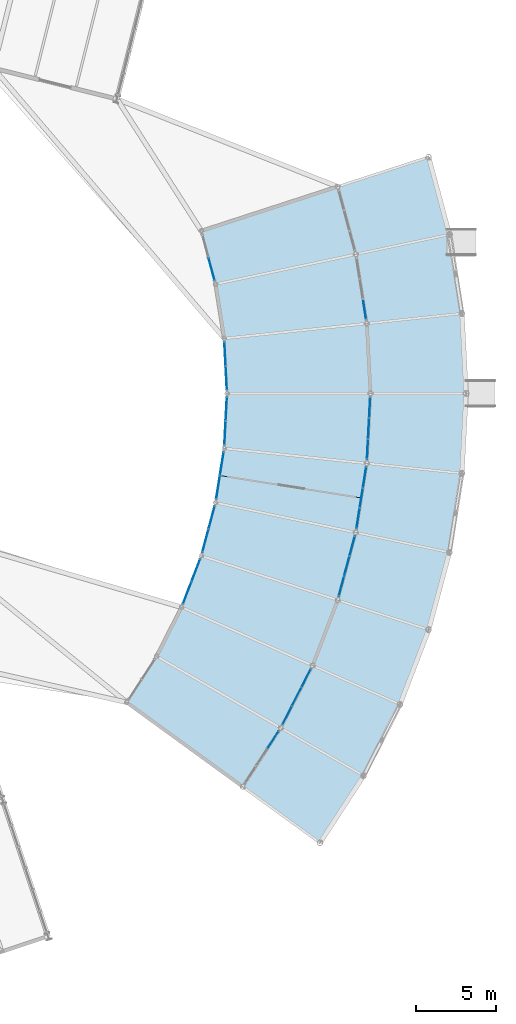
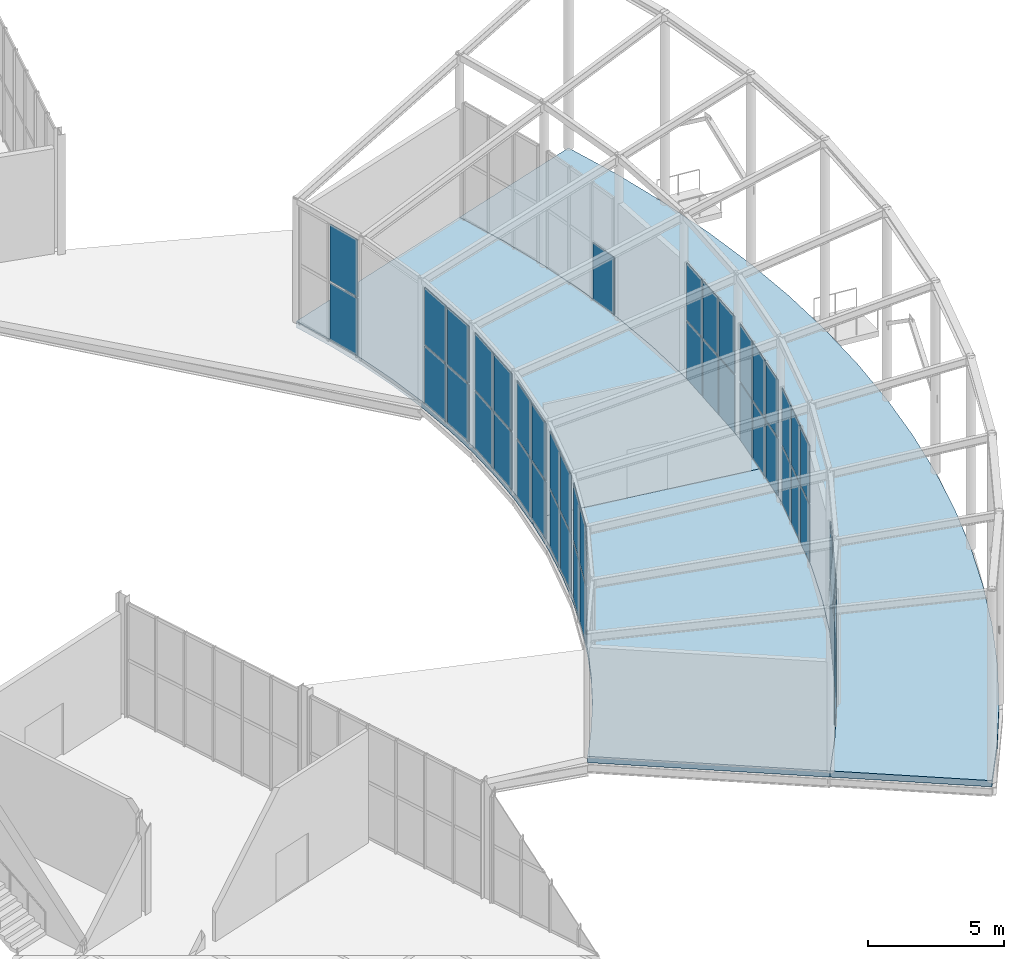
# One storey, part 114 of 158: 49 plates, 3 slabs, 12 elements without a shape of their own.
"""IFC4 building model written with IfcOpenShell, lengths in metres."""

from ifc_helpers import new_model, si_unit, derived_unit, direction, frame, origin, origin_2d, place, context, subcontext, project, spatial, polyline, rectangle, outline, extrude, material, layer, layer_set, type_object, element, aggregate, save


model = new_model("IFC4")

# Units and contexts
model_context = context("Model", 3, precision=1e-05, world=origin(), true_north=direction((0.0, 1.0)))
body_context = subcontext(model_context, "Body", "Model", "MODEL_VIEW")
ifc_project = project(units=[si_unit("LENGTHUNIT", "METRE"), si_unit("AREAUNIT", "SQUARE_METRE"), si_unit("VOLUMEUNIT", "CUBIC_METRE"), si_unit("PLANEANGLEUNIT", "RADIAN"), si_unit("MASSUNIT", "GRAM", prefix="KILO"), si_unit("THERMODYNAMICTEMPERATUREUNIT", "KELVIN"), si_unit("TIMEUNIT", "SECOND"), derived_unit("THERMALTRANSMITTANCEUNIT", [(si_unit("MASSUNIT", "GRAM", prefix="KILO"), 1), (si_unit("THERMODYNAMICTEMPERATUREUNIT", "KELVIN"), -1), (si_unit("TIMEUNIT", "SECOND"), -3)])], contexts=[model_context])

# Site, building, storey
site_placement = place(None, origin())
site = spatial("IfcSite", under=ifc_project, at=site_placement, CompositionType="ELEMENT")
building_placement = place(site_placement, origin())
building = spatial("IfcBuilding", under=site, at=building_placement, Name="Cambertide Market Hall", CompositionType="ELEMENT")
storey_placement = place(building_placement, origin())
storey = spatial("IfcBuildingStorey", under=building, at=storey_placement, Name="L01", CompositionType="ELEMENT", Elevation=0.0)

# Slabs
ifc_material_1 = material(Name="Concrete B35", Category="concrete")
ifc_layer_1 = layer(ifc_material_1, 0.284912109375, Name="Crescent Gallery Plinth Slab 285")
ifc_layer_set_1 = layer_set([ifc_layer_1], Name="Concrete B35")
slab_type_1 = type_object("IfcSlabType", Name="Crescent Gallery Plinth Slab 285", PredefinedType="FLOOR", material=ifc_layer_set_1)
slab_1_placement = place(storey_placement, frame((0.0, 0.0, -0.284912109375)))
element("IfcSlab", 1, at=slab_1_placement, inside=storey, type_object=slab_type_1, Name="Level 1 Slab SLB-L01-V5-IN1", PredefinedType="FLOOR", context=body_context, shape_type="SweptSolid", body=[
    extrude(outline(polyline([(177.978759765625, 41.31298828125), (179.22412109375, 43.125244140625), (180.373046875, 45.0), (181.42236328125, 46.932373046875), (182.368896484375, 48.9169921875), (183.21044921875, 50.948486328125), (183.9443359375, 53.021240234375), (184.56884765625, 55.129638671875), (185.082275390625, 57.267822265625), (185.48291015625, 59.4296875), (176.59375, 60.837646484375), (176.27880859375, 59.138916015625), (175.87548828125, 57.458984375), (175.384765625, 55.802490234375), (174.80810546875, 54.173828125), (174.14697265625, 52.57763671875), (173.4033203125, 51.018310546875), (172.578857421875, 49.5), (171.676025390625, 48.02685546875), (170.697509765625, 46.60302734375), (177.978759765625, 41.31298828125)])), origin(), (0.0, 0.0, 1.0), 0.284912109375),
])
slab_2_placement = place(storey_placement, frame((0.0, 0.0, -0.284912109375)))
element("IfcSlab", 2, at=slab_2_placement, inside=storey, type_object=slab_type_1, Name="Level 1 Slab SLB-L01-V5-IN2", PredefinedType="FLOOR", context=body_context, shape_type="SweptSolid", body=[
    extrude(outline(polyline([(185.48291015625, 59.4296875), (185.77001953125, 61.60986328125), (185.9423828125, 63.802001953125), (186.0, 66.0), (185.9423828125, 68.197998046875), (185.77001953125, 70.39013671875), (185.48291015625, 72.5703125), (185.082275390625, 74.732177734375), (184.56884765625, 76.870361328125), (183.9443359375, 78.978759765625), (175.384765625, 76.197509765625), (175.87548828125, 74.541015625), (176.27880859375, 72.861083984375), (176.59375, 71.162353515625), (176.8193359375, 69.449462890625), (176.954833984375, 67.72705078125), (177.0, 66.0), (176.954833984375, 64.27294921875), (176.8193359375, 62.550537109375), (176.59375, 60.837646484375), (185.48291015625, 59.4296875)])), origin(), (0.0, 0.0, 1.0), 0.284912109375),
])
ifc_material_2 = material(Name="Concrete B35", Category="concrete")
ifc_layer_2 = layer(ifc_material_2, 0.280029296875, Name="Exterior Entry Apron & Colonnade Slab 280")
ifc_layer_set_2 = layer_set([ifc_layer_2], Name="Concrete B35")
slab_type_2 = type_object("IfcSlabType", Name="Exterior Entry Apron & Colonnade Slab 280", PredefinedType="FLOOR", material=ifc_layer_set_2)
slab_3_placement = place(storey_placement, frame((0.0, 0.0, -0.280029296875)))
element("IfcSlab", 3, at=slab_3_placement, inside=storey, type_object=slab_type_2, Name="Level 1 Slab SLB-L01-V5-COL", PredefinedType="FLOOR", context=body_context, shape_type="SweptSolid", body=[
    extrude(outline(polyline([(182.832763671875, 37.786376953125), (184.256103515625, 39.857421875), (185.5693359375, 42.0), (186.768310546875, 44.20849609375), (187.85009765625, 46.4765625), (188.811767578125, 48.79833984375), (189.650634765625, 51.167236328125), (190.364501953125, 53.57666015625), (190.951171875, 56.020263671875), (191.408935546875, 58.4912109375), (191.737060546875, 60.982666015625), (191.934326171875, 63.48779296875), (192.0, 66.0), (191.934326171875, 68.51220703125), (191.737060546875, 71.017333984375), (191.408935546875, 73.5087890625), (190.951171875, 75.979736328125), (190.364501953125, 78.42333984375), (189.650634765625, 80.832763671875), (183.9443359375, 78.978759765625), (184.56884765625, 76.870361328125), (185.082275390625, 74.732177734375), (185.48291015625, 72.5703125), (185.77001953125, 70.39013671875), (185.9423828125, 68.197998046875), (186.0, 66.0), (185.9423828125, 63.802001953125), (185.77001953125, 61.60986328125), (185.48291015625, 59.4296875), (185.082275390625, 57.267822265625), (184.56884765625, 55.129638671875), (183.9443359375, 53.021240234375), (183.21044921875, 50.948486328125), (182.368896484375, 48.9169921875), (181.42236328125, 46.932373046875), (180.373046875, 45.0), (179.22412109375, 43.125244140625), (177.978759765625, 41.31298828125), (182.832763671875, 37.786376953125)])), origin(), (0.0, 0.0, 1.0), 0.280029296875),
])

# Curtain wall, plates
ifc_material_3 = material(Name="Marine Anodized Aluminium 6063-T6 AA25", Category="aluminium")
curtain_wall_type_1 = type_object("IfcCurtainWallType", Name="Promenade Crescent Outer Glazed Wall", PredefinedType="USERDEFINED", material=ifc_material_3)
curtain_wall_1_placement = place(storey_placement, origin())
curtain_wall_1 = element("IfcCurtainWall", 4, at=curtain_wall_1_placement, inside=storey, type_object=curtain_wall_type_1, Name="Level 1 Curtain Wall CW-V5M-L01-1", ObjectType="UNITIZED CURTAIN WALL", PredefinedType="USERDEFINED")
ifc_material_4 = material(Name="Low-E Laminated Insulated Glass", Category="glass")
ifc_layer_3 = layer(ifc_material_4, 0.028076171875, Name="Vision Insulated Glazing Panel 28")
ifc_layer_set_3 = layer_set([ifc_layer_3], Name="Low-E Laminated Insulated Glass")
plate_type = type_object("IfcPlateType", Name="Vision Insulated Glazing Panel 28", PredefinedType="CURTAIN_PANEL", material=ifc_layer_set_3)
plate_1_placement = place(storey_placement, frame((179.89404296875, 44.262451171875, 0.0400390625), z_axis=(0.0, 0.0, 1.0), x_axis=(-0.544638961842, -0.838670615465, 0.0)))
plate_1 = element("IfcPlate", 5, at=plate_1_placement, type_object=plate_type, Name="CW-V5M-L01-1 Glazing Panel 1-1", PredefinedType="CURTAIN_PANEL", context=body_context, shape_type="SweptSolid", body=[
    extrude(rectangle(XDim=1.23876953125, YDim=0.028076171875, at=origin_2d()), origin(), (0.0, 0.0, 1.0), 2.570068359375),
])
plate_2_placement = place(storey_placement, frame((179.89404296875, 44.262451171875, 2.68994140625), z_axis=(0.0, 0.0, 1.0), x_axis=(-0.544638961842, -0.838670615465, 0.0)))
plate_2 = element("IfcPlate", 6, at=plate_2_placement, type_object=plate_type, Name="CW-V5M-L01-1 Glazing Panel 2-1", PredefinedType="CURTAIN_PANEL", context=body_context, shape_type="SweptSolid", body=[
    extrude(rectangle(XDim=1.23876953125, YDim=0.028076171875, at=origin_2d()), origin(), (0.0, 0.0, 1.0), 2.570068359375),
])
aggregate(curtain_wall_1, [plate_1, plate_2])

curtain_wall_2_placement = place(storey_placement, origin())
curtain_wall_2 = element("IfcCurtainWall", 7, at=curtain_wall_2_placement, inside=storey, type_object=curtain_wall_type_1, Name="Level 1 Curtain Wall CW-V5M-L01-2", ObjectType="UNITIZED CURTAIN WALL", PredefinedType="USERDEFINED")
plate_3_placement = place(storey_placement, frame((181.9697265625, 48.133544921875, 0.0400390625), z_axis=(0.0, 0.0, 1.0), x_axis=(-0.453990451578, -0.891006548728, 0.0)))
plate_3 = element("IfcPlate", 8, at=plate_3_placement, type_object=plate_type, Name="CW-V5M-L01-2 Glazing Panel 1-1", PredefinedType="CURTAIN_PANEL", context=body_context, shape_type="SweptSolid", body=[
    extrude(rectangle(XDim=1.23876953125, YDim=0.028076171875, at=origin_2d()), origin(), (0.0, 0.0, 1.0), 2.570068359375),
])
plate_4_placement = place(storey_placement, frame((181.37109375, 46.95849609375, 0.0400390625), z_axis=(0.0, 0.0, 1.0), x_axis=(-0.453990451578, -0.891006548728, 0.0)))
plate_4 = element("IfcPlate", 9, at=plate_4_placement, type_object=plate_type, Name="CW-V5M-L01-2 Glazing Panel 1-2", PredefinedType="CURTAIN_PANEL", context=body_context, shape_type="SweptSolid", body=[
    extrude(rectangle(XDim=1.23876953125, YDim=0.028076171875, at=origin_2d()), origin(), (0.0, 0.0, 1.0), 2.570068359375),
])
plate_5_placement = place(storey_placement, frame((180.772216796875, 45.783447265625, 0.0400390625), z_axis=(0.0, 0.0, 1.0), x_axis=(-0.453990451578, -0.891006548728, 0.0)))
plate_5 = element("IfcPlate", 10, at=plate_5_placement, type_object=plate_type, Name="CW-V5M-L01-2 Glazing Panel 1-3", PredefinedType="CURTAIN_PANEL", context=body_context, shape_type="SweptSolid", body=[
    extrude(rectangle(XDim=1.23876953125, YDim=0.028076171875, at=origin_2d()), origin(), (0.0, 0.0, 1.0), 2.570068359375),
])
plate_6_placement = place(storey_placement, frame((181.9697265625, 48.133544921875, 2.68994140625), z_axis=(0.0, 0.0, 1.0), x_axis=(-0.453990451578, -0.891006548728, 0.0)))
plate_6 = element("IfcPlate", 11, at=plate_6_placement, type_object=plate_type, Name="CW-V5M-L01-2 Glazing Panel 2-1", PredefinedType="CURTAIN_PANEL", context=body_context, shape_type="SweptSolid", body=[
    extrude(rectangle(XDim=1.23876953125, YDim=0.028076171875, at=origin_2d()), origin(), (0.0, 0.0, 1.0), 2.570068359375),
])
plate_7_placement = place(storey_placement, frame((181.37109375, 46.95849609375, 2.68994140625), z_axis=(0.0, 0.0, 1.0), x_axis=(-0.453990451578, -0.891006548728, 0.0)))
plate_7 = element("IfcPlate", 12, at=plate_7_placement, type_object=plate_type, Name="CW-V5M-L01-2 Glazing Panel 2-2", PredefinedType="CURTAIN_PANEL", context=body_context, shape_type="SweptSolid", body=[
    extrude(rectangle(XDim=1.23876953125, YDim=0.028076171875, at=origin_2d()), origin(), (0.0, 0.0, 1.0), 2.570068359375),
])
plate_8_placement = place(storey_placement, frame((180.772216796875, 45.783447265625, 2.68994140625), z_axis=(0.0, 0.0, 1.0), x_axis=(-0.453990451578, -0.891006548728, 0.0)))
plate_8 = element("IfcPlate", 13, at=plate_8_placement, type_object=plate_type, Name="CW-V5M-L01-2 Glazing Panel 2-3", PredefinedType="CURTAIN_PANEL", context=body_context, shape_type="SweptSolid", body=[
    extrude(rectangle(XDim=1.23876953125, YDim=0.028076171875, at=origin_2d()), origin(), (0.0, 0.0, 1.0), 2.570068359375),
])
aggregate(curtain_wall_2, [plate_3, plate_4, plate_5, plate_6, plate_7, plate_8])

ifc_material_5 = material(Name="Marine Anodized Aluminium 6063-T6 AA25", Category="aluminium")
curtain_wall_type_2 = type_object("IfcCurtainWallType", Name="Promenade Crescent Inner Glazed Wall", PredefinedType="USERDEFINED", material=ifc_material_5)
curtain_wall_3_placement = place(storey_placement, origin())
curtain_wall_3 = element("IfcCurtainWall", 14, at=curtain_wall_3_placement, inside=storey, type_object=curtain_wall_type_2, Name="Level 1 Curtain Wall CW-V5I-L01-3", ObjectType="UNITIZED CURTAIN WALL", PredefinedType="USERDEFINED")
plate_9_placement = place(storey_placement, frame((174.4921875, 53.477294921875, 0.0400390625), z_axis=(0.0, 0.0, 1.0), x_axis=(0.358368005238, 0.933580405119, 0.0)))
plate_9 = element("IfcPlate", 15, at=plate_9_placement, type_object=plate_type, Name="CW-V5I-L01-3 Glazing Panel 1-1", PredefinedType="CURTAIN_PANEL", context=body_context, shape_type="SweptSolid", body=[
    extrude(rectangle(XDim=1.447021484375, YDim=0.028076171875, at=origin_2d()), origin(), (0.0, 0.0, 1.0), 2.570068359375),
])
plate_10_placement = place(storey_placement, frame((175.03955078125, 54.90283203125, 0.0400390625), z_axis=(0.0, 0.0, 1.0), x_axis=(0.358368005238, 0.933580405119, 0.0)))
plate_10 = element("IfcPlate", 16, at=plate_10_placement, type_object=plate_type, Name="CW-V5I-L01-3 Glazing Panel 1-2", PredefinedType="CURTAIN_PANEL", context=body_context, shape_type="SweptSolid", body=[
    extrude(rectangle(XDim=1.447021484375, YDim=0.028076171875, at=origin_2d()), origin(), (0.0, 0.0, 1.0), 2.570068359375),
])
plate_11_placement = place(storey_placement, frame((174.4921875, 53.477294921875, 2.68994140625), z_axis=(0.0, 0.0, 1.0), x_axis=(0.358368005238, 0.933580405119, 0.0)))
plate_11 = element("IfcPlate", 17, at=plate_11_placement, type_object=plate_type, Name="CW-V5I-L01-3 Glazing Panel 2-1", PredefinedType="CURTAIN_PANEL", context=body_context, shape_type="SweptSolid", body=[
    extrude(rectangle(XDim=1.447021484375, YDim=0.028076171875, at=origin_2d()), origin(), (0.0, 0.0, 1.0), 2.570068359375),
])
plate_12_placement = place(storey_placement, frame((175.03955078125, 54.90283203125, 2.68994140625), z_axis=(0.0, 0.0, 1.0), x_axis=(0.358368005238, 0.933580405119, 0.0)))
plate_12 = element("IfcPlate", 18, at=plate_12_placement, type_object=plate_type, Name="CW-V5I-L01-3 Glazing Panel 2-2", PredefinedType="CURTAIN_PANEL", context=body_context, shape_type="SweptSolid", body=[
    extrude(rectangle(XDim=1.447021484375, YDim=0.028076171875, at=origin_2d()), origin(), (0.0, 0.0, 1.0), 2.570068359375),
])
aggregate(curtain_wall_3, [plate_9, plate_10, plate_11, plate_12])

curtain_wall_4_placement = place(storey_placement, origin())
curtain_wall_4 = element("IfcCurtainWall", 19, at=curtain_wall_4_placement, inside=storey, type_object=curtain_wall_type_1, Name="Level 1 Curtain Wall CW-V5M-L01-4", ObjectType="UNITIZED CURTAIN WALL", PredefinedType="USERDEFINED")
plate_13_placement = place(storey_placement, frame((184.8544921875, 56.418212890625, 0.0400390625), z_axis=(0.0, 0.0, 1.0), x_axis=(-0.258818914887, -0.96592586118, 0.0)))
plate_13 = element("IfcPlate", 20, at=plate_13_placement, type_object=plate_type, Name="CW-V5M-L01-4 Glazing Panel 1-1", PredefinedType="CURTAIN_PANEL", context=body_context, shape_type="SweptSolid", body=[
    extrude(rectangle(XDim=1.23876953125, YDim=0.028076171875, at=origin_2d()), origin(), (0.0, 0.0, 1.0), 2.570068359375),
])
plate_14_placement = place(storey_placement, frame((184.51318359375, 55.14453125, 0.0400390625), z_axis=(0.0, 0.0, 1.0), x_axis=(-0.258818914887, -0.96592586118, 0.0)))
plate_14 = element("IfcPlate", 21, at=plate_14_placement, type_object=plate_type, Name="CW-V5M-L01-4 Glazing Panel 1-2", PredefinedType="CURTAIN_PANEL", context=body_context, shape_type="SweptSolid", body=[
    extrude(rectangle(XDim=1.23876953125, YDim=0.028076171875, at=origin_2d()), origin(), (0.0, 0.0, 1.0), 2.570068359375),
])
plate_15_placement = place(storey_placement, frame((184.171875, 53.87060546875, 0.0400390625), z_axis=(0.0, 0.0, 1.0), x_axis=(-0.258818914887, -0.96592586118, 0.0)))
plate_15 = element("IfcPlate", 22, at=plate_15_placement, type_object=plate_type, Name="CW-V5M-L01-4 Glazing Panel 1-3", PredefinedType="CURTAIN_PANEL", context=body_context, shape_type="SweptSolid", body=[
    extrude(rectangle(XDim=1.23876953125, YDim=0.028076171875, at=origin_2d()), origin(), (0.0, 0.0, 1.0), 2.570068359375),
])
plate_16_placement = place(storey_placement, frame((184.8544921875, 56.418212890625, 2.68994140625), z_axis=(0.0, 0.0, 1.0), x_axis=(-0.258818914887, -0.96592586118, 0.0)))
plate_16 = element("IfcPlate", 23, at=plate_16_placement, type_object=plate_type, Name="CW-V5M-L01-4 Glazing Panel 2-1", PredefinedType="CURTAIN_PANEL", context=body_context, shape_type="SweptSolid", body=[
    extrude(rectangle(XDim=1.23876953125, YDim=0.028076171875, at=origin_2d()), origin(), (0.0, 0.0, 1.0), 2.570068359375),
])
plate_17_placement = place(storey_placement, frame((184.51318359375, 55.14453125, 2.68994140625), z_axis=(0.0, 0.0, 1.0), x_axis=(-0.258818914887, -0.96592586118, 0.0)))
plate_17 = element("IfcPlate", 24, at=plate_17_placement, type_object=plate_type, Name="CW-V5M-L01-4 Glazing Panel 2-2", PredefinedType="CURTAIN_PANEL", context=body_context, shape_type="SweptSolid", body=[
    extrude(rectangle(XDim=1.23876953125, YDim=0.028076171875, at=origin_2d()), origin(), (0.0, 0.0, 1.0), 2.570068359375),
])
plate_18_placement = place(storey_placement, frame((184.171875, 53.87060546875, 2.68994140625), z_axis=(0.0, 0.0, 1.0), x_axis=(-0.258818914887, -0.96592586118, 0.0)))
plate_18 = element("IfcPlate", 25, at=plate_18_placement, type_object=plate_type, Name="CW-V5M-L01-4 Glazing Panel 2-3", PredefinedType="CURTAIN_PANEL", context=body_context, shape_type="SweptSolid", body=[
    extrude(rectangle(XDim=1.23876953125, YDim=0.028076171875, at=origin_2d()), origin(), (0.0, 0.0, 1.0), 2.570068359375),
])
aggregate(curtain_wall_4, [plate_13, plate_14, plate_15, plate_16, plate_17, plate_18])

curtain_wall_5_placement = place(storey_placement, origin())
curtain_wall_5 = element("IfcCurtainWall", 26, at=curtain_wall_5_placement, inside=storey, type_object=curtain_wall_type_2, Name="Level 1 Curtain Wall CW-V5I-L01-4", ObjectType="UNITIZED CURTAIN WALL", PredefinedType="USERDEFINED")
plate_19_placement = place(storey_placement, frame((175.63427734375, 56.733154296875, 0.0400390625), z_axis=(0.0, 0.0, 1.0), x_axis=(0.25881910404, 0.965925810497, 0.0)))
plate_19 = element("IfcPlate", 27, at=plate_19_placement, type_object=plate_type, Name="CW-V5I-L01-4 Glazing Panel 1-1", PredefinedType="CURTAIN_PANEL", context=body_context, shape_type="SweptSolid", body=[
    extrude(rectangle(XDim=1.447021484375, YDim=0.028076171875, at=origin_2d()), origin(), (0.0, 0.0, 1.0), 2.570068359375),
])
plate_20_placement = place(storey_placement, frame((176.029541015625, 58.208251953125, 0.0400390625), z_axis=(0.0, 0.0, 1.0), x_axis=(0.25881910404, 0.965925810497, 0.0)))
plate_20 = element("IfcPlate", 28, at=plate_20_placement, type_object=plate_type, Name="CW-V5I-L01-4 Glazing Panel 1-2", PredefinedType="CURTAIN_PANEL", context=body_context, shape_type="SweptSolid", body=[
    extrude(rectangle(XDim=1.447021484375, YDim=0.028076171875, at=origin_2d()), origin(), (0.0, 0.0, 1.0), 2.570068359375),
])
plate_21_placement = place(storey_placement, frame((175.63427734375, 56.733154296875, 2.68994140625), z_axis=(0.0, 0.0, 1.0), x_axis=(0.25881910404, 0.965925810497, 0.0)))
plate_21 = element("IfcPlate", 29, at=plate_21_placement, type_object=plate_type, Name="CW-V5I-L01-4 Glazing Panel 2-1", PredefinedType="CURTAIN_PANEL", context=body_context, shape_type="SweptSolid", body=[
    extrude(rectangle(XDim=1.447021484375, YDim=0.028076171875, at=origin_2d()), origin(), (0.0, 0.0, 1.0), 2.570068359375),
])
plate_22_placement = place(storey_placement, frame((176.029541015625, 58.208251953125, 2.68994140625), z_axis=(0.0, 0.0, 1.0), x_axis=(0.25881910404, 0.965925810497, 0.0)))
plate_22 = element("IfcPlate", 30, at=plate_22_placement, type_object=plate_type, Name="CW-V5I-L01-4 Glazing Panel 2-2", PredefinedType="CURTAIN_PANEL", context=body_context, shape_type="SweptSolid", body=[
    extrude(rectangle(XDim=1.447021484375, YDim=0.028076171875, at=origin_2d()), origin(), (0.0, 0.0, 1.0), 2.570068359375),
])
aggregate(curtain_wall_5, [plate_19, plate_20, plate_21, plate_22])

curtain_wall_6_placement = place(storey_placement, origin())
curtain_wall_6 = element("IfcCurtainWall", 31, at=curtain_wall_6_placement, inside=storey, type_object=curtain_wall_type_1, Name="Level 1 Curtain Wall CW-V5M-L01-5", ObjectType="UNITIZED CURTAIN WALL", PredefinedType="USERDEFINED")
plate_23_placement = place(storey_placement, frame((185.63232421875, 60.7412109375, 0.0400390625), z_axis=(0.0, 0.0, 1.0), x_axis=(-0.156434588243, -0.987688321082, 0.0)))
plate_23 = element("IfcPlate", 32, at=plate_23_placement, type_object=plate_type, Name="CW-V5M-L01-5 Glazing Panel 1-1", PredefinedType="CURTAIN_PANEL", context=body_context, shape_type="SweptSolid", body=[
    extrude(rectangle(XDim=1.23876953125, YDim=0.028076171875, at=origin_2d()), origin(), (0.0, 0.0, 1.0), 2.570068359375),
])
plate_24_placement = place(storey_placement, frame((185.426025390625, 59.438720703125, 0.0400390625), z_axis=(0.0, 0.0, 1.0), x_axis=(-0.156434588243, -0.987688321082, 0.0)))
plate_24 = element("IfcPlate", 33, at=plate_24_placement, type_object=plate_type, Name="CW-V5M-L01-5 Glazing Panel 1-2", PredefinedType="CURTAIN_PANEL", context=body_context, shape_type="SweptSolid", body=[
    extrude(rectangle(XDim=1.23876953125, YDim=0.028076171875, at=origin_2d()), origin(), (0.0, 0.0, 1.0), 2.570068359375),
])
plate_25_placement = place(storey_placement, frame((185.2197265625, 58.13623046875, 0.0400390625), z_axis=(0.0, 0.0, 1.0), x_axis=(-0.156434588243, -0.987688321082, 0.0)))
plate_25 = element("IfcPlate", 34, at=plate_25_placement, type_object=plate_type, Name="CW-V5M-L01-5 Glazing Panel 1-3", PredefinedType="CURTAIN_PANEL", context=body_context, shape_type="SweptSolid", body=[
    extrude(rectangle(XDim=1.23876953125, YDim=0.028076171875, at=origin_2d()), origin(), (0.0, 0.0, 1.0), 2.570068359375),
])
plate_26_placement = place(storey_placement, frame((185.63232421875, 60.7412109375, 2.68994140625), z_axis=(0.0, 0.0, 1.0), x_axis=(-0.156434588243, -0.987688321082, 0.0)))
plate_26 = element("IfcPlate", 35, at=plate_26_placement, type_object=plate_type, Name="CW-V5M-L01-5 Glazing Panel 2-1", PredefinedType="CURTAIN_PANEL", context=body_context, shape_type="SweptSolid", body=[
    extrude(rectangle(XDim=1.23876953125, YDim=0.028076171875, at=origin_2d()), origin(), (0.0, 0.0, 1.0), 2.570068359375),
])
plate_27_placement = place(storey_placement, frame((185.426025390625, 59.438720703125, 2.68994140625), z_axis=(0.0, 0.0, 1.0), x_axis=(-0.156434588243, -0.987688321082, 0.0)))
plate_27 = element("IfcPlate", 36, at=plate_27_placement, type_object=plate_type, Name="CW-V5M-L01-5 Glazing Panel 2-2", PredefinedType="CURTAIN_PANEL", context=body_context, shape_type="SweptSolid", body=[
    extrude(rectangle(XDim=1.23876953125, YDim=0.028076171875, at=origin_2d()), origin(), (0.0, 0.0, 1.0), 2.570068359375),
])
plate_28_placement = place(storey_placement, frame((185.2197265625, 58.13623046875, 2.68994140625), z_axis=(0.0, 0.0, 1.0), x_axis=(-0.156434588243, -0.987688321082, 0.0)))
plate_28 = element("IfcPlate", 37, at=plate_28_placement, type_object=plate_type, Name="CW-V5M-L01-5 Glazing Panel 2-3", PredefinedType="CURTAIN_PANEL", context=body_context, shape_type="SweptSolid", body=[
    extrude(rectangle(XDim=1.23876953125, YDim=0.028076171875, at=origin_2d()), origin(), (0.0, 0.0, 1.0), 2.570068359375),
])
aggregate(curtain_wall_6, [plate_23, plate_24, plate_25, plate_26, plate_27, plate_28])

curtain_wall_7_placement = place(storey_placement, origin())
curtain_wall_7 = element("IfcCurtainWall", 38, at=curtain_wall_7_placement, inside=storey, type_object=curtain_wall_type_2, Name="Level 1 Curtain Wall CW-V5I-L01-5", ObjectType="UNITIZED CURTAIN WALL", PredefinedType="USERDEFINED")
plate_29_placement = place(storey_placement, frame((176.4296875, 60.090576171875, 0.0400390625), z_axis=(0.0, 0.0, 1.0), x_axis=(0.156434521324, 0.987688331681, 0.0)))
plate_29 = element("IfcPlate", 39, at=plate_29_placement, type_object=plate_type, Name="CW-V5I-L01-5 Glazing Panel 1-1", PredefinedType="CURTAIN_PANEL", context=body_context, shape_type="SweptSolid", body=[
    extrude(rectangle(XDim=1.447021484375, YDim=0.028076171875, at=origin_2d()), origin(), (0.0, 0.0, 1.0), 2.570068359375),
])
plate_30_placement = place(storey_placement, frame((176.66845703125, 61.598876953125, 0.0400390625), z_axis=(0.0, 0.0, 1.0), x_axis=(0.156434521324, 0.987688331681, 0.0)))
plate_30 = element("IfcPlate", 40, at=plate_30_placement, type_object=plate_type, Name="CW-V5I-L01-5 Glazing Panel 1-2", PredefinedType="CURTAIN_PANEL", context=body_context, shape_type="SweptSolid", body=[
    extrude(rectangle(XDim=1.447021484375, YDim=0.028076171875, at=origin_2d()), origin(), (0.0, 0.0, 1.0), 2.570068359375),
])
plate_31_placement = place(storey_placement, frame((176.4296875, 60.090576171875, 2.68994140625), z_axis=(0.0, 0.0, 1.0), x_axis=(0.156434521324, 0.987688331681, 0.0)))
plate_31 = element("IfcPlate", 41, at=plate_31_placement, type_object=plate_type, Name="CW-V5I-L01-5 Glazing Panel 2-1", PredefinedType="CURTAIN_PANEL", context=body_context, shape_type="SweptSolid", body=[
    extrude(rectangle(XDim=1.447021484375, YDim=0.028076171875, at=origin_2d()), origin(), (0.0, 0.0, 1.0), 2.570068359375),
])
plate_32_placement = place(storey_placement, frame((176.66845703125, 61.598876953125, 2.68994140625), z_axis=(0.0, 0.0, 1.0), x_axis=(0.156434521324, 0.987688331681, 0.0)))
plate_32 = element("IfcPlate", 42, at=plate_32_placement, type_object=plate_type, Name="CW-V5I-L01-5 Glazing Panel 2-2", PredefinedType="CURTAIN_PANEL", context=body_context, shape_type="SweptSolid", body=[
    extrude(rectangle(XDim=1.447021484375, YDim=0.028076171875, at=origin_2d()), origin(), (0.0, 0.0, 1.0), 2.570068359375),
])
aggregate(curtain_wall_7, [plate_29, plate_30, plate_31, plate_32])

curtain_wall_8_placement = place(storey_placement, origin())
curtain_wall_8 = element("IfcCurtainWall", 43, at=curtain_wall_8_placement, inside=storey, type_object=curtain_wall_type_1, Name="Level 1 Curtain Wall CW-V5M-L01-6", ObjectType="UNITIZED CURTAIN WALL", PredefinedType="USERDEFINED")
plate_33_placement = place(storey_placement, frame((185.953857421875, 65.121826171875, 0.0400390625), z_axis=(0.0, 0.0, 1.0), x_axis=(-0.052335872181, -0.99862953916, 0.0)))
plate_33 = element("IfcPlate", 44, at=plate_33_placement, type_object=plate_type, Name="CW-V5M-L01-6 Glazing Panel 1-1", PredefinedType="CURTAIN_PANEL", context=body_context, shape_type="SweptSolid", body=[
    extrude(rectangle(XDim=1.23876953125, YDim=0.028076171875, at=origin_2d()), origin(), (0.0, 0.0, 1.0), 2.570068359375),
])
plate_34_placement = place(storey_placement, frame((185.885009765625, 63.804931640625, 0.0400390625), z_axis=(0.0, 0.0, 1.0), x_axis=(-0.052335872181, -0.99862953916, 0.0)))
plate_34 = element("IfcPlate", 45, at=plate_34_placement, type_object=plate_type, Name="CW-V5M-L01-6 Glazing Panel 1-2", PredefinedType="CURTAIN_PANEL", context=body_context, shape_type="SweptSolid", body=[
    extrude(rectangle(XDim=1.23876953125, YDim=0.028076171875, at=origin_2d()), origin(), (0.0, 0.0, 1.0), 2.570068359375),
])
plate_35_placement = place(storey_placement, frame((185.81591796875, 62.488037109375, 0.0400390625), z_axis=(0.0, 0.0, 1.0), x_axis=(-0.052335872181, -0.99862953916, 0.0)))
plate_35 = element("IfcPlate", 46, at=plate_35_placement, type_object=plate_type, Name="CW-V5M-L01-6 Glazing Panel 1-3", PredefinedType="CURTAIN_PANEL", context=body_context, shape_type="SweptSolid", body=[
    extrude(rectangle(XDim=1.23876953125, YDim=0.028076171875, at=origin_2d()), origin(), (0.0, 0.0, 1.0), 2.570068359375),
])
plate_36_placement = place(storey_placement, frame((185.953857421875, 65.121826171875, 2.68994140625), z_axis=(0.0, 0.0, 1.0), x_axis=(-0.052335872181, -0.99862953916, 0.0)))
plate_36 = element("IfcPlate", 47, at=plate_36_placement, type_object=plate_type, Name="CW-V5M-L01-6 Glazing Panel 2-1", PredefinedType="CURTAIN_PANEL", context=body_context, shape_type="SweptSolid", body=[
    extrude(rectangle(XDim=1.23876953125, YDim=0.028076171875, at=origin_2d()), origin(), (0.0, 0.0, 1.0), 2.570068359375),
])
plate_37_placement = place(storey_placement, frame((185.885009765625, 63.804931640625, 2.68994140625), z_axis=(0.0, 0.0, 1.0), x_axis=(-0.052335872181, -0.99862953916, 0.0)))
plate_37 = element("IfcPlate", 48, at=plate_37_placement, type_object=plate_type, Name="CW-V5M-L01-6 Glazing Panel 2-2", PredefinedType="CURTAIN_PANEL", context=body_context, shape_type="SweptSolid", body=[
    extrude(rectangle(XDim=1.23876953125, YDim=0.028076171875, at=origin_2d()), origin(), (0.0, 0.0, 1.0), 2.570068359375),
])
plate_38_placement = place(storey_placement, frame((185.81591796875, 62.488037109375, 2.68994140625), z_axis=(0.0, 0.0, 1.0), x_axis=(-0.052335872181, -0.99862953916, 0.0)))
plate_38 = element("IfcPlate", 49, at=plate_38_placement, type_object=plate_type, Name="CW-V5M-L01-6 Glazing Panel 2-3", PredefinedType="CURTAIN_PANEL", context=body_context, shape_type="SweptSolid", body=[
    extrude(rectangle(XDim=1.23876953125, YDim=0.028076171875, at=origin_2d()), origin(), (0.0, 0.0, 1.0), 2.570068359375),
])
aggregate(curtain_wall_8, [plate_33, plate_34, plate_35, plate_36, plate_37, plate_38])

curtain_wall_9_placement = place(storey_placement, origin())
curtain_wall_9 = element("IfcCurtainWall", 50, at=curtain_wall_9_placement, inside=storey, type_object=curtain_wall_type_2, Name="Level 1 Curtain Wall CW-V5I-L01-6", ObjectType="UNITIZED CURTAIN WALL", PredefinedType="USERDEFINED")
plate_39_placement = place(storey_placement, frame((176.86962890625, 63.5126953125, 0.0400390625), z_axis=(0.0, 0.0, 1.0), x_axis=(0.052335829863, 0.998629541378, 0.0)))
plate_39 = element("IfcPlate", 51, at=plate_39_placement, type_object=plate_type, Name="CW-V5I-L01-6 Glazing Panel 1-1", PredefinedType="CURTAIN_PANEL", context=body_context, shape_type="SweptSolid", body=[
    extrude(rectangle(XDim=1.447021484375, YDim=0.028076171875, at=origin_2d()), origin(), (0.0, 0.0, 1.0), 2.570068359375),
])
plate_40_placement = place(storey_placement, frame((176.949462890625, 65.037841796875, 0.0400390625), z_axis=(0.0, 0.0, 1.0), x_axis=(0.052335829863, 0.998629541378, 0.0)))
plate_40 = element("IfcPlate", 52, at=plate_40_placement, type_object=plate_type, Name="CW-V5I-L01-6 Glazing Panel 1-2", PredefinedType="CURTAIN_PANEL", context=body_context, shape_type="SweptSolid", body=[
    extrude(rectangle(XDim=1.447021484375, YDim=0.028076171875, at=origin_2d()), origin(), (0.0, 0.0, 1.0), 2.570068359375),
])
plate_41_placement = place(storey_placement, frame((176.86962890625, 63.5126953125, 2.68994140625), z_axis=(0.0, 0.0, 1.0), x_axis=(0.052335829863, 0.998629541378, 0.0)))
plate_41 = element("IfcPlate", 53, at=plate_41_placement, type_object=plate_type, Name="CW-V5I-L01-6 Glazing Panel 2-1", PredefinedType="CURTAIN_PANEL", context=body_context, shape_type="SweptSolid", body=[
    extrude(rectangle(XDim=1.447021484375, YDim=0.028076171875, at=origin_2d()), origin(), (0.0, 0.0, 1.0), 2.570068359375),
])
plate_42_placement = place(storey_placement, frame((176.949462890625, 65.037841796875, 2.68994140625), z_axis=(0.0, 0.0, 1.0), x_axis=(0.052335829863, 0.998629541378, 0.0)))
plate_42 = element("IfcPlate", 54, at=plate_42_placement, type_object=plate_type, Name="CW-V5I-L01-6 Glazing Panel 2-2", PredefinedType="CURTAIN_PANEL", context=body_context, shape_type="SweptSolid", body=[
    extrude(rectangle(XDim=1.447021484375, YDim=0.028076171875, at=origin_2d()), origin(), (0.0, 0.0, 1.0), 2.570068359375),
])
aggregate(curtain_wall_9, [plate_39, plate_40, plate_41, plate_42])

curtain_wall_10_placement = place(storey_placement, origin())
curtain_wall_10 = element("IfcCurtainWall", 55, at=curtain_wall_10_placement, inside=storey, type_object=curtain_wall_type_2, Name="Level 1 Curtain Wall CW-V5I-L01-7", ObjectType="UNITIZED CURTAIN WALL", PredefinedType="USERDEFINED")
plate_43_placement = place(storey_placement, frame((176.949462890625, 66.962158203125, 0.0400390625), z_axis=(0.0, 0.0, 1.0), x_axis=(-0.052335829863, 0.998629541378, 0.0)))
plate_43 = element("IfcPlate", 56, at=plate_43_placement, type_object=plate_type, Name="CW-V5I-L01-7 Glazing Panel 1-1", PredefinedType="CURTAIN_PANEL", context=body_context, shape_type="SweptSolid", body=[
    extrude(rectangle(XDim=1.447021484375, YDim=0.028076171875, at=origin_2d()), origin(), (0.0, 0.0, 1.0), 2.570068359375),
])
plate_44_placement = place(storey_placement, frame((176.86962890625, 68.4873046875, 0.0400390625), z_axis=(0.0, 0.0, 1.0), x_axis=(-0.052335829863, 0.998629541378, 0.0)))
plate_44 = element("IfcPlate", 57, at=plate_44_placement, type_object=plate_type, Name="CW-V5I-L01-7 Glazing Panel 1-2", PredefinedType="CURTAIN_PANEL", context=body_context, shape_type="SweptSolid", body=[
    extrude(rectangle(XDim=1.447021484375, YDim=0.028076171875, at=origin_2d()), origin(), (0.0, 0.0, 1.0), 2.570068359375),
])
plate_45_placement = place(storey_placement, frame((176.949462890625, 66.962158203125, 2.68994140625), z_axis=(0.0, 0.0, 1.0), x_axis=(-0.052335829863, 0.998629541378, 0.0)))
plate_45 = element("IfcPlate", 58, at=plate_45_placement, type_object=plate_type, Name="CW-V5I-L01-7 Glazing Panel 2-1", PredefinedType="CURTAIN_PANEL", context=body_context, shape_type="SweptSolid", body=[
    extrude(rectangle(XDim=1.447021484375, YDim=0.028076171875, at=origin_2d()), origin(), (0.0, 0.0, 1.0), 2.570068359375),
])
plate_46_placement = place(storey_placement, frame((176.86962890625, 68.4873046875, 2.68994140625), z_axis=(0.0, 0.0, 1.0), x_axis=(-0.052335829863, 0.998629541378, 0.0)))
plate_46 = element("IfcPlate", 59, at=plate_46_placement, type_object=plate_type, Name="CW-V5I-L01-7 Glazing Panel 2-2", PredefinedType="CURTAIN_PANEL", context=body_context, shape_type="SweptSolid", body=[
    extrude(rectangle(XDim=1.447021484375, YDim=0.028076171875, at=origin_2d()), origin(), (0.0, 0.0, 1.0), 2.570068359375),
])
aggregate(curtain_wall_10, [plate_43, plate_44, plate_45, plate_46])

# Curtain wall, plate
curtain_wall_11_placement = place(storey_placement, origin())
curtain_wall_11 = element("IfcCurtainWall", 60, at=curtain_wall_11_placement, inside=storey, type_object=curtain_wall_type_1, Name="Level 1 Curtain Wall CW-V5M-L01-8", ObjectType="UNITIZED CURTAIN WALL", PredefinedType="USERDEFINED")
plate_47_placement = place(storey_placement, frame((185.63232421875, 71.2587890625, 0.0400390625), z_axis=(0.0, 0.0, 1.0), x_axis=(0.156434588243, -0.987688321082, 0.0)))
plate_47 = element("IfcPlate", 61, at=plate_47_placement, type_object=plate_type, Name="CW-V5M-L01-8 Glazing Panel 1-3", PredefinedType="CURTAIN_PANEL", context=body_context, shape_type="SweptSolid", body=[
    extrude(rectangle(XDim=1.23876953125, YDim=0.028076171875, at=origin_2d()), origin(), (0.0, 0.0, 1.0), 2.570068359375),
])
aggregate(curtain_wall_11, [plate_47])

# Curtain wall, plates
curtain_wall_12_placement = place(storey_placement, origin())
curtain_wall_12 = element("IfcCurtainWall", 62, at=curtain_wall_12_placement, inside=storey, type_object=curtain_wall_type_2, Name="Level 1 Curtain Wall CW-V5I-L01-9", ObjectType="UNITIZED CURTAIN WALL", PredefinedType="USERDEFINED")
plate_48_placement = place(storey_placement, frame((176.029541015625, 73.791748046875, 0.0400390625), z_axis=(0.0, 0.0, 1.0), x_axis=(-0.25881910404, 0.965925810497, 0.0)))
plate_48 = element("IfcPlate", 63, at=plate_48_placement, type_object=plate_type, Name="CW-V5I-L01-9 Glazing Panel 1-1", PredefinedType="CURTAIN_PANEL", context=body_context, shape_type="SweptSolid", body=[
    extrude(rectangle(XDim=1.447021484375, YDim=0.028076171875, at=origin_2d()), origin(), (0.0, 0.0, 1.0), 2.570068359375),
])
plate_49_placement = place(storey_placement, frame((176.029541015625, 73.791748046875, 2.68994140625), z_axis=(0.0, 0.0, 1.0), x_axis=(-0.25881910404, 0.965925810497, 0.0)))
plate_49 = element("IfcPlate", 64, at=plate_49_placement, type_object=plate_type, Name="CW-V5I-L01-9 Glazing Panel 2-1", PredefinedType="CURTAIN_PANEL", context=body_context, shape_type="SweptSolid", body=[
    extrude(rectangle(XDim=1.447021484375, YDim=0.028076171875, at=origin_2d()), origin(), (0.0, 0.0, 1.0), 2.570068359375),
])
aggregate(curtain_wall_12, [plate_48, plate_49])

save(model, "model.ifc")
